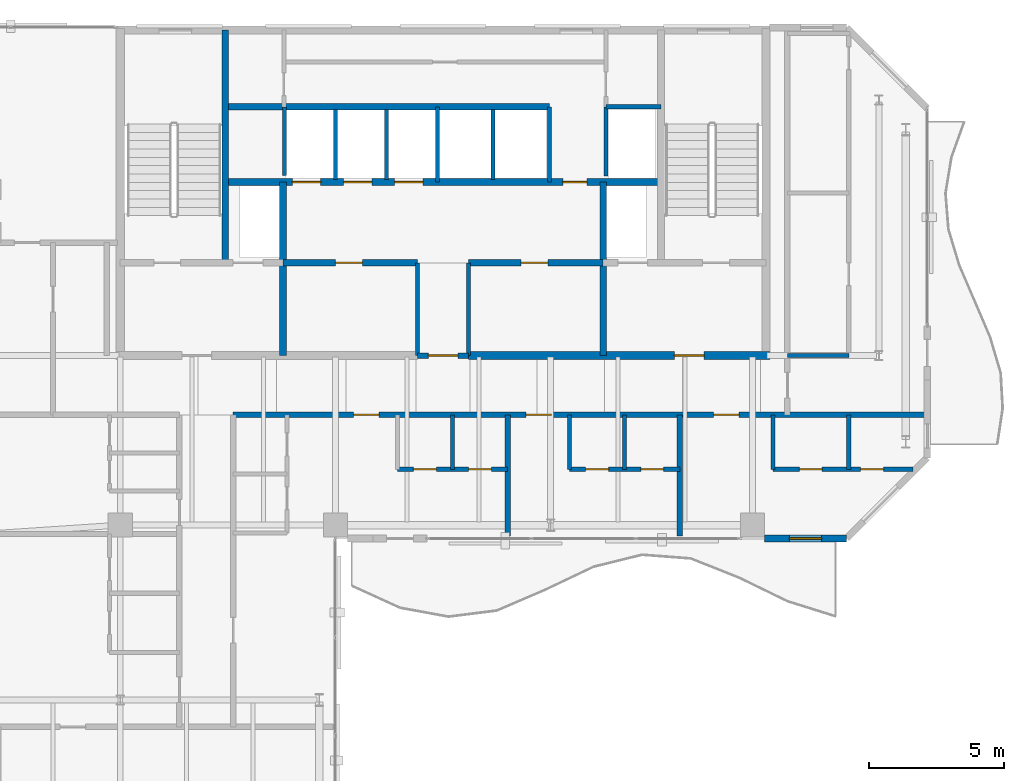
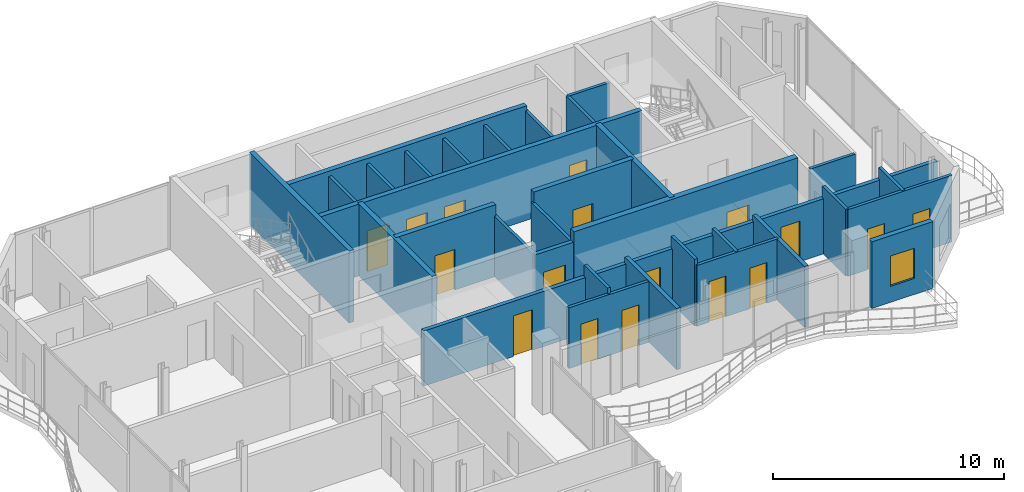
# One storey, part 19 of 24: 32 walls, 17 doors, 1 window, 18 openings.
"""IFC4 building model written with IfcOpenShell, lengths in metres."""

import ifcopenshell
import ifcopenshell.guid

model = None  # the IFC model being written
_history = None  # IfcOwnerHistory: only IFC2X3 demands one
_inside = {}  # id of a spatial element -> (the spatial element, [elements in it])
_under = {}  # id of a project, library or spatial element -> (it, [spatial elements below it])
_declared = {}  # id of a project -> (the project, [libraries it declares])
_typed = {}  # id of a type object -> (the type object, [elements of that type])
_made_of = {}  # id of a material, layer set ... -> (it, [elements and type objects made of it])


def new_model(schema):
    """Start an empty IFC model of exactly this schema.

    Asked for "IFC4X3", IfcOpenShell would pick the latest addendum, in which some entities
    have other attributes; the version numbers below select the first issue.
    IFC2X3 requires an IfcOwnerHistory on every rooted entity: one is made here for all.
    """
    global model, _history
    if schema == "IFC4X3":
        model = ifcopenshell.file(schema_version=(4, 3, 0, 0))
    else:
        model = ifcopenshell.file(schema=schema)
    _inside.clear()
    _under.clear()
    _declared.clear()
    _typed.clear()
    _made_of.clear()
    _history = None
    if model.schema == "IFC2X3":
        org = make("IfcOrganization", Name="unknown")
        user = make(
            "IfcPersonAndOrganization",
            ThePerson=make("IfcPerson", FamilyName="unknown"),
            TheOrganization=org,
        )
        app = make(
            "IfcApplication",
            ApplicationDeveloper=org,
            Version="unknown",
            ApplicationFullName="unknown",
            ApplicationIdentifier="unknown",
        )
        _history = make(
            "IfcOwnerHistory",
            OwningUser=user,
            OwningApplication=app,
            ChangeAction="ADDED",
            CreationDate=0,
        )
    return model


def make(cls, **values):
    """One entity of the class cls with the attributes given. An attribute that is None is left unset."""
    return model.create_entity(
        cls, **{name: value for name, value in values.items() if value is not None}
    )


def rooted(cls, **values):
    """An entity with a GlobalId (a new one), such as an element, a storey or a relation."""
    return make(cls, GlobalId=ifcopenshell.guid.new(), OwnerHistory=_history, **values)


def si_unit(unit_type, name, prefix=None):
    """IfcSIUnit, for example si_unit("LENGTHUNIT", "METRE", prefix="MILLI")."""
    return make("IfcSIUnit", UnitType=unit_type, Prefix=prefix, Name=name)


def assignment(units):
    """IfcUnitAssignment: the units of a project."""
    return None if units is None else make("IfcUnitAssignment", Units=units)


def point(xyz):
    """IfcCartesianPoint."""
    return None if xyz is None else make("IfcCartesianPoint", Coordinates=xyz)


def direction(xyz):
    """IfcDirection."""
    return None if xyz is None else make("IfcDirection", DirectionRatios=xyz)


def frame(location, z_axis=None, x_axis=None):
    """IfcAxis2Placement3D, a coordinate frame: its origin and axes. An axis left out is left unset."""
    return make(
        "IfcAxis2Placement3D",
        Location=point(location),
        Axis=direction(z_axis),
        RefDirection=direction(x_axis),
    )


def frame_2d(location, x_axis=None):
    """IfcAxis2Placement2D, a coordinate frame in the plane: its origin and x axis."""
    return make(
        "IfcAxis2Placement2D", Location=point(location), RefDirection=direction(x_axis)
    )


def origin():
    """The frame at (0, 0, 0) with its axes left unset."""
    return frame((0.0, 0.0, 0.0))


def place(relative_to, where):
    """IfcLocalPlacement: puts the frame where relative to a parent placement (None: the world)."""
    return make(
        "IfcLocalPlacement", PlacementRelTo=relative_to, RelativePlacement=where
    )


def context(
    kind, dimensions, precision=None, world=None, true_north=None, identifier=None
):
    """IfcGeometricRepresentationContext, for example the 3D "Model" context."""
    return make(
        "IfcGeometricRepresentationContext",
        ContextIdentifier=identifier,
        ContextType=kind,
        CoordinateSpaceDimension=dimensions,
        Precision=precision,
        WorldCoordinateSystem=world,
        TrueNorth=true_north,
    )


def subcontext(parent, identifier, kind, view, scale=None):
    """IfcGeometricRepresentationSubContext, for example "Body" below "Model"."""
    return make(
        "IfcGeometricRepresentationSubContext",
        ContextIdentifier=identifier,
        ContextType=kind,
        ParentContext=parent,
        TargetScale=scale,
        TargetView=view,
    )


def project(units=None, contexts=None):
    """IfcProject with its units and contexts."""
    return rooted(
        "IfcProject",
        Name="project",
        RepresentationContexts=contexts,
        UnitsInContext=assignment(units),
    )


def spatial(cls, under=None, at=None, **own):
    """A site, building, storey or space (cls), placed at a placement, below another one or the project."""
    s = rooted(cls, ObjectPlacement=at, **own)
    if under is not None:
        _under.setdefault(under.id(), (under, []))[1].append(s)
    return s


def profile(cls, at=None, kind="AREA", **sizes):
    """A parametric profile (cls). Its sizes go by their IFC names, for example OverallWidth=200.0."""
    return make(cls, ProfileType=kind, Position=at, **sizes)


def rectangle(**sizes):
    """IfcRectangleProfileDef."""
    return profile("IfcRectangleProfileDef", **sizes)


def extrude(swept, where, along, depth):
    """IfcExtrudedAreaSolid: the profile swept, set in the frame where, extruded along a direction by depth."""
    return make(
        "IfcExtrudedAreaSolid",
        SweptArea=swept,
        Position=where,
        ExtrudedDirection=direction(along),
        Depth=depth,
    )


def shape(context_of_items, identifier, shape_type, items):
    """IfcShapeRepresentation: the items that make up one representation, for example the "Body"."""
    return make(
        "IfcShapeRepresentation",
        ContextOfItems=context_of_items,
        RepresentationIdentifier=identifier,
        RepresentationType=shape_type,
        Items=items,
    )


def material(Name=None, Category=None):
    """IfcMaterial."""
    return make("IfcMaterial", Name=Name, Category=Category)


def layer(
    of_material, thickness, ventilated=None, Name=None, Category=None, Priority=None
):
    """IfcMaterialLayer: one layer of a wall or slab, of a material (None: an air gap)."""
    return make(
        "IfcMaterialLayer",
        Material=of_material,
        LayerThickness=thickness,
        IsVentilated=ventilated,
        Name=Name,
        Category=Category,
        Priority=Priority,
    )


def layer_set(layers, Name=None):
    """IfcMaterialLayerSet."""
    return make("IfcMaterialLayerSet", MaterialLayers=layers, LayerSetName=Name)


def made_of(thing, what):
    """Note that an element or type object is made of a material, layer set ...; save() writes the relation."""
    if what is not None:
        _made_of.setdefault(what.id(), (what, []))[1].append(thing)
    return thing


def type_object(cls, material=None, **own):
    """A type object (cls), such as IfcWallType, which elements share."""
    return made_of(rooted(cls, **own), material)


def element(
    cls,
    number,
    at=None,
    inside=None,
    cuts=None,
    type_object=None,
    material=None,
    context=None,
    identifier="Body",
    shape_type=None,
    held_by="IfcProductDefinitionShape",
    body=None,
    shapes=None,
    **own,
):
    """One element of the class cls, such as IfcWall. Its Tag is "e" and its number.

    at: its placement. inside: the storey or other place that contains it. cuts: it is an
    opening in that element (IfcRelVoidsElement). A single representation is given by context,
    identifier, shape_type and body (its items); several are given by shapes. held_by: the class
    of the entity that holds the representations. save() writes the other relations.
    """
    e = rooted(cls, Tag="e%d" % number, ObjectPlacement=at, **own)
    if body is not None:
        shapes = [shape(context, identifier, shape_type, body)]
    if shapes is not None:
        e.Representation = make(held_by, Representations=shapes)
    if inside is not None:
        _inside.setdefault(inside.id(), (inside, []))[1].append(e)
    if cuts is not None:
        rooted(
            "IfcRelVoidsElement", RelatingBuildingElement=cuts, RelatedOpeningElement=e
        )
    if type_object is not None:
        _typed.setdefault(type_object.id(), (type_object, []))[1].append(e)
    return made_of(e, material)


def fill(opening, filler):
    """IfcRelFillsElement: the door or window that sits in an opening."""
    return rooted(
        "IfcRelFillsElement",
        RelatingOpeningElement=opening,
        RelatedBuildingElement=filler,
    )


def aggregate(whole, parts):
    """IfcRelAggregates: a whole, such as a stair, and the parts it consists of."""
    return rooted("IfcRelAggregates", RelatingObject=whole, RelatedObjects=parts)


def save(model, path):
    """Write the relations noted so far, then the file.

    IfcRelAggregates (storeys below a building ...), IfcRelContainedInSpatialStructure (elements
    in a storey), IfcRelDefinesByType, IfcRelAssociatesMaterial and IfcRelDeclares: one each for
    every whole, place, type object, material and project.
    """
    for whole, parts in _under.values():
        aggregate(whole, parts)
    for where, things in _inside.values():
        rooted(
            "IfcRelContainedInSpatialStructure",
            RelatedElements=things,
            RelatingStructure=where,
        )
    for kind, things in _typed.values():
        rooted("IfcRelDefinesByType", RelatedObjects=things, RelatingType=kind)
    for what, things in _made_of.values():
        rooted("IfcRelAssociatesMaterial", RelatedObjects=things, RelatingMaterial=what)
    for by, libraries in _declared.values():
        rooted("IfcRelDeclares", RelatingContext=by, RelatedDefinitions=libraries)
    model.write(path)


model = new_model("IFC4")

# Units and contexts
model_context = context("Model", 3, precision=1e-05, world=origin(), true_north=direction((0.0, 1.0)))
body_context = subcontext(model_context, "Body", "Model", "MODEL_VIEW")
ifc_project = project(units=[si_unit("LENGTHUNIT", "METRE"), si_unit("AREAUNIT", "SQUARE_METRE"), si_unit("VOLUMEUNIT", "CUBIC_METRE"), si_unit("PLANEANGLEUNIT", "RADIAN"), si_unit("MASSUNIT", "GRAM", prefix="KILO")], contexts=[model_context])

# Site, building, storey
site_placement = place(None, origin())
site = spatial("IfcSite", under=ifc_project, at=site_placement, CompositionType="ELEMENT")
building_placement = place(site_placement, origin())
building = spatial("IfcBuilding", under=site, at=building_placement, Name="Catumbela Crestline Tower", CompositionType="ELEMENT")
storey_placement = place(building_placement, frame((0.0, 0.0, 237.4)))
storey = spatial("IfcBuildingStorey", under=building, at=storey_placement, Name="L61", CompositionType="ELEMENT", Elevation=237.4)

# Walls
ifc_material_1 = material(Name="Concrete C50/60", Category="concrete")
ifc_layer_1 = layer(ifc_material_1, 0.25, Name="Concrete C50/60")
ifc_layer_set_1 = layer_set([ifc_layer_1], Name="Concrete C50/60")
wall_type_1 = type_object("IfcWallType", Name="CW-250D", PredefinedType="SHEAR", material=ifc_layer_set_1)
wall_1_placement = place(storey_placement, frame((19.9, 34.25, 0.0), z_axis=(0.0, 0.0, 1.0), x_axis=(0.0, 1.0, 0.0)))
element("IfcWall", 1, at=wall_1_placement, inside=storey, type_object=wall_type_1, Name="L61 Structural Core Shear Wall WWEB", PredefinedType="SHEAR", context=body_context, shape_type="SweptSolid", body=[
    extrude(rectangle(XDim=8.65, YDim=0.25, at=frame_2d((4.325, 0.0))), origin(), (0.0, 0.0, 1.0), 3.8),
])
for number, where, z_axis, x_axis, name in (
    (2, (22.05, 30.8, 0.0), (0.0, 0.0, 1.0), (0.0, 1.0, 0.0), "L61 Structural Core Shear Wall FFW"),
    (3, (33.95, 30.8, 0.0), (0.0, 0.0, 1.0), (0.0, 1.0, 0.0), "L61 Structural Core Shear Wall FFE"),
):
    element("IfcWall", number, at=place(storey_placement, frame(where, z_axis=z_axis, x_axis=x_axis)), inside=storey, type_object=wall_type_1, Name=name, PredefinedType="SHEAR", context=body_context, shape_type="SweptSolid", body=[
        extrude(rectangle(XDim=6.45, YDim=0.25, at=frame_2d((3.225, 0.0))), origin(), (0.0, 0.0, 1.0), 3.8),
    ])

# Wall, opening, door
wall_2_placement = place(storey_placement, frame((22.05, 34.25, 0.0), z_axis=(0.0, 0.0, 1.0), x_axis=(1.0, 0.0, 0.0)))
wall_2 = element("IfcWall", 4, at=wall_2_placement, inside=storey, type_object=wall_type_1, Name="L61 Structural Core Shear Wall LIFTS-W", PredefinedType="SHEAR", context=body_context, shape_type="SweptSolid", body=[
    extrude(rectangle(XDim=5.0, YDim=0.25, at=frame_2d((2.5, 0.0))), origin(), (0.0, 0.0, 1.0), 3.8),
])
opening_1_placement = place(wall_2_placement, frame((1.95, 0.0, 0.0)))
opening_1 = element("IfcOpeningElement", 5, at=opening_1_placement, cuts=wall_2, Name="Opening DF9-100", PredefinedType="OPENING", context=body_context, shape_type="SweptSolid", body=[
    extrude(rectangle(XDim=1.0, YDim=2.15, at=frame_2d((0.5, 1.075))), frame((0.0, 0.135, 0.0), z_axis=(0.0, -1.0, 0.0), x_axis=(1.0, 0.0, 0.0)), (0.0, 0.0, 1.0), 0.27),
])
ifc_material_2 = material(Name="Stainless steel EN 1.4401", Category="steel")
door_type_1 = type_object("IfcDoorType", Name="DF9-100", OperationType="NOTDEFINED", PredefinedType="DOOR", material=ifc_material_2)
door_1_placement = place(opening_1_placement, origin())
door_1 = element("IfcDoor", 6, at=door_1_placement, inside=storey, type_object=door_type_1, Name="L61 Interior Door DR-L61-RECL1", OperationType="SINGLE_SWING_LEFT", OverallHeight=2.15, OverallWidth=1.0, PredefinedType="DOOR", context=body_context, shape_type="SweptSolid", body=[
    extrude(rectangle(XDim=1.0, YDim=2.15, at=frame_2d((0.5, 1.075))), frame((0.0, 0.025, 0.0), z_axis=(0.0, -1.0, 0.0), x_axis=(1.0, 0.0, 0.0)), (0.0, 0.0, 1.0), 0.05),
])
fill(opening_1, door_1)

wall_3_placement = place(storey_placement, frame((28.95, 34.25, 0.0), z_axis=(0.0, 0.0, 1.0), x_axis=(1.0, 0.0, 0.0)))
wall_3 = element("IfcWall", 7, at=wall_3_placement, inside=storey, type_object=wall_type_1, Name="L61 Structural Core Shear Wall LIFTS-E", PredefinedType="SHEAR", context=body_context, shape_type="SweptSolid", body=[
    extrude(rectangle(XDim=5.0, YDim=0.25, at=frame_2d((2.5, 0.0))), origin(), (0.0, 0.0, 1.0), 3.8),
])
opening_2_placement = place(wall_3_placement, frame((1.95, 0.0, 0.0)))
opening_2 = element("IfcOpeningElement", 8, at=opening_2_placement, cuts=wall_3, Name="Opening DF9-100", PredefinedType="OPENING", context=body_context, shape_type="SweptSolid", body=[
    extrude(rectangle(XDim=1.0, YDim=2.15, at=frame_2d((0.5, 1.075))), frame((0.0, 0.135, 0.0), z_axis=(0.0, -1.0, 0.0), x_axis=(1.0, 0.0, 0.0)), (0.0, 0.0, 1.0), 0.27),
])
door_2_placement = place(opening_2_placement, origin())
door_2 = element("IfcDoor", 9, at=door_2_placement, inside=storey, type_object=door_type_1, Name="L61 Interior Door DR-L61-RECL2", OperationType="SINGLE_SWING_RIGHT", OverallHeight=2.15, OverallWidth=1.0, PredefinedType="DOOR", context=body_context, shape_type="SweptSolid", body=[
    extrude(rectangle(XDim=1.0, YDim=2.15, at=frame_2d((0.5, 1.075))), frame((0.0, 0.025, 0.0), z_axis=(0.0, -1.0, 0.0), x_axis=(1.0, 0.0, 0.0)), (0.0, 0.0, 1.0), 0.05),
])
fill(opening_2, door_2)

# Wall, openings, doors
wall_4_placement = place(storey_placement, frame((19.9, 37.25, 0.0), z_axis=(0.0, 0.0, 1.0), x_axis=(1.0, 0.0, 0.0)))
wall_4 = element("IfcWall", 10, at=wall_4_placement, inside=storey, type_object=wall_type_1, Name="L61 Structural Core Shear Wall LIFTN", PredefinedType="SHEAR", context=body_context, shape_type="SweptSolid", body=[
    extrude(rectangle(XDim=16.2, YDim=0.25, at=frame_2d((8.1, 0.0))), origin(), (0.0, 0.0, 1.0), 3.8),
])
opening_3_placement = place(wall_4_placement, frame((12.55, 0.0, 0.0)))
opening_3 = element("IfcOpeningElement", 11, at=opening_3_placement, cuts=wall_4, Name="Opening DF9-090", PredefinedType="OPENING", context=body_context, shape_type="SweptSolid", body=[
    extrude(rectangle(XDim=0.9, YDim=2.15, at=frame_2d((0.45, 1.075))), frame((0.0, 0.135, 0.0), z_axis=(0.0, -1.0, 0.0), x_axis=(1.0, 0.0, 0.0)), (0.0, 0.0, 1.0), 0.27),
])
opening_4_placement = place(wall_4_placement, frame((2.5, 0.0, 0.0)))
opening_4 = element("IfcOpeningElement", 12, at=opening_4_placement, cuts=wall_4, Name="Opening LD-105", PredefinedType="OPENING", context=body_context, shape_type="SweptSolid", body=[
    extrude(rectangle(XDim=1.05, YDim=2.15, at=frame_2d((0.525, 1.075))), frame((0.0, 0.135, 0.0), z_axis=(0.0, -1.0, 0.0), x_axis=(1.0, 0.0, 0.0)), (0.0, 0.0, 1.0), 0.27),
])
opening_5_placement = place(wall_4_placement, frame((4.4, 0.0, 0.0)))
opening_5 = element("IfcOpeningElement", 13, at=opening_5_placement, cuts=wall_4, Name="Opening LD-105", PredefinedType="OPENING", context=body_context, shape_type="SweptSolid", body=[
    extrude(rectangle(XDim=1.05, YDim=2.15, at=frame_2d((0.525, 1.075))), frame((0.0, 0.135, 0.0), z_axis=(0.0, -1.0, 0.0), x_axis=(1.0, 0.0, 0.0)), (0.0, 0.0, 1.0), 0.27),
])
opening_6_placement = place(wall_4_placement, frame((6.3, 0.0, 0.0)))
opening_6 = element("IfcOpeningElement", 14, at=opening_6_placement, cuts=wall_4, Name="Opening LD-105", PredefinedType="OPENING", context=body_context, shape_type="SweptSolid", body=[
    extrude(rectangle(XDim=1.05, YDim=2.15, at=frame_2d((0.525, 1.075))), frame((0.0, 0.135, 0.0), z_axis=(0.0, -1.0, 0.0), x_axis=(1.0, 0.0, 0.0)), (0.0, 0.0, 1.0), 0.27),
])
door_type_2 = type_object("IfcDoorType", Name="DF9-090", OperationType="NOTDEFINED", PredefinedType="DOOR", material=ifc_material_2)
door_3_placement = place(opening_3_placement, origin())
door_3 = element("IfcDoor", 15, at=door_3_placement, inside=storey, type_object=door_type_2, Name="L61 Interior Door DR-L61-CPAS1", OperationType="SINGLE_SWING_LEFT", OverallHeight=2.15, OverallWidth=0.9, PredefinedType="DOOR", context=body_context, shape_type="SweptSolid", body=[
    extrude(rectangle(XDim=0.9, YDim=2.15, at=frame_2d((0.45, 1.075))), frame((0.0, 0.025, 0.0), z_axis=(0.0, -1.0, 0.0), x_axis=(1.0, 0.0, 0.0)), (0.0, 0.0, 1.0), 0.05),
])
fill(opening_3, door_3)
door_type_3 = type_object("IfcDoorType", Name="LD-105", OperationType="NOTDEFINED", PredefinedType="DOOR", material=ifc_material_2)
door_4_placement = place(opening_4_placement, origin())
door_4 = element("IfcDoor", 16, at=door_4_placement, inside=storey, type_object=door_type_3, Name="L61 Lift Landing Sliding Door PL-H1", OperationType="DOUBLE_DOOR_SLIDING", OverallHeight=2.15, OverallWidth=1.05, PredefinedType="DOOR", context=body_context, shape_type="SweptSolid", body=[
    extrude(rectangle(XDim=1.05, YDim=2.15, at=frame_2d((0.525, 1.075))), frame((0.0, 0.025, 0.0), z_axis=(0.0, -1.0, 0.0), x_axis=(1.0, 0.0, 0.0)), (0.0, 0.0, 1.0), 0.05),
])
fill(opening_4, door_4)
door_5_placement = place(opening_5_placement, origin())
door_5 = element("IfcDoor", 17, at=door_5_placement, inside=storey, type_object=door_type_3, Name="L61 Lift Landing Sliding Door PL-H2", OperationType="DOUBLE_DOOR_SLIDING", OverallHeight=2.15, OverallWidth=1.05, PredefinedType="DOOR", context=body_context, shape_type="SweptSolid", body=[
    extrude(rectangle(XDim=1.05, YDim=2.15, at=frame_2d((0.525, 1.075))), frame((0.0, 0.025, 0.0), z_axis=(0.0, -1.0, 0.0), x_axis=(1.0, 0.0, 0.0)), (0.0, 0.0, 1.0), 0.05),
])
fill(opening_5, door_5)
door_6_placement = place(opening_6_placement, origin())
door_6 = element("IfcDoor", 18, at=door_6_placement, inside=storey, type_object=door_type_3, Name="L61 Lift Landing Sliding Door PL-H3", OperationType="DOUBLE_DOOR_SLIDING", OverallHeight=2.15, OverallWidth=1.05, PredefinedType="DOOR", context=body_context, shape_type="SweptSolid", body=[
    extrude(rectangle(XDim=1.05, YDim=2.15, at=frame_2d((0.525, 1.075))), frame((0.0, 0.025, 0.0), z_axis=(0.0, -1.0, 0.0), x_axis=(1.0, 0.0, 0.0)), (0.0, 0.0, 1.0), 0.05),
])
fill(opening_6, door_6)

# Wall
wall_5_placement = place(storey_placement, frame((19.9, 40.05, 0.0), z_axis=(0.0, 0.0, 1.0), x_axis=(1.0, 0.0, 0.0)))
element("IfcWall", 19, at=wall_5_placement, inside=storey, type_object=wall_type_1, Name="L61 Structural Core Shear Wall COREN", PredefinedType="SHEAR", context=body_context, shape_type="SweptSolid", body=[
    extrude(rectangle(XDim=12.05, YDim=0.25, at=frame_2d((6.025, 0.0))), origin(), (0.0, 0.0, 1.0), 3.8),
])

# Wall, opening, door
ifc_material_3 = material(Name="Concrete C45/55", Category="concrete")
ifc_layer_2 = layer(ifc_material_3, 0.3, Name="Concrete C45/55")
ifc_layer_set_2 = layer_set([ifc_layer_2], Name="Concrete C45/55")
wall_type_2 = type_object("IfcWallType", Name="CW-300C", PredefinedType="SHEAR", material=ifc_layer_set_2)
wall_6_placement = place(storey_placement, frame((28.95, 30.8, 0.0), z_axis=(0.0, 0.0, 1.0), x_axis=(1.0, 0.0, 0.0)))
wall_6 = element("IfcWall", 20, at=wall_6_placement, inside=storey, type_object=wall_type_2, Name="L61 Structural Core Shear Wall SE", PredefinedType="SHEAR", context=body_context, shape_type="SweptSolid", body=[
    extrude(rectangle(XDim=11.2, YDim=0.3, at=frame_2d((5.6, 0.0))), origin(), (0.0, 0.0, 1.0), 3.8),
])
opening_7_placement = place(wall_6_placement, frame((7.65, 0.0, 0.0)))
opening_7 = element("IfcOpeningElement", 21, at=opening_7_placement, cuts=wall_6, Name="Opening DF9-110", PredefinedType="OPENING", context=body_context, shape_type="SweptSolid", body=[
    extrude(rectangle(XDim=1.1, YDim=2.15, at=frame_2d((0.55, 1.075))), frame((0.0, 0.16, 0.0), z_axis=(0.0, -1.0, 0.0), x_axis=(1.0, 0.0, 0.0)), (0.0, 0.0, 1.0), 0.32),
])
door_type_4 = type_object("IfcDoorType", Name="DF9-110", OperationType="NOTDEFINED", PredefinedType="DOOR", material=ifc_material_2)
door_7_placement = place(opening_7_placement, origin())
door_7 = element("IfcDoor", 22, at=door_7_placement, inside=storey, type_object=door_type_4, Name="L61 Interior Door DR-L61-FFE-S", OperationType="SINGLE_SWING_RIGHT", OverallHeight=2.15, OverallWidth=1.1, PredefinedType="DOOR", context=body_context, shape_type="SweptSolid", body=[
    extrude(rectangle(XDim=1.1, YDim=2.15, at=frame_2d((0.55, 1.075))), frame((0.0, 0.025, 0.0), z_axis=(0.0, -1.0, 0.0), x_axis=(1.0, 0.0, 0.0)), (0.0, 0.0, 1.0), 0.05),
])
fill(opening_7, door_7)

ifc_material_4 = material(Name="Acoustic gypsum and mineral-wool partition")
ifc_layer_3 = layer(ifc_material_4, 0.2, Name="Acoustic gypsum and mineral-wool partition")
ifc_layer_set_3 = layer_set([ifc_layer_3], Name="Acoustic gypsum and mineral-wool partition")
wall_type_3 = type_object("IfcWallType", Name="WC-200", PredefinedType="PARTITIONING", material=ifc_layer_set_3)
wall_7_placement = place(storey_placement, frame((27.05, 30.8, 0.0), z_axis=(0.0, 0.0, 1.0), x_axis=(1.0, 0.0, 0.0)))
wall_7 = element("IfcWall", 23, at=wall_7_placement, inside=storey, type_object=wall_type_3, Name="L61 Interior Partition PW-L61-CLOBS", PredefinedType="PARTITIONING", context=body_context, shape_type="SweptSolid", body=[
    extrude(rectangle(XDim=1.9, YDim=0.2, at=frame_2d((0.95, 0.0))), origin(), (0.0, 0.0, 1.0), 3.22),
])
opening_8_placement = place(wall_7_placement, frame((0.4, 0.0, 0.0)))
opening_8 = element("IfcOpeningElement", 24, at=opening_8_placement, cuts=wall_7, Name="Opening DF9-110", PredefinedType="OPENING", context=body_context, shape_type="SweptSolid", body=[
    extrude(rectangle(XDim=1.1, YDim=2.15, at=frame_2d((0.55, 1.075))), frame((0.0, 0.11, 0.0), z_axis=(0.0, -1.0, 0.0), x_axis=(1.0, 0.0, 0.0)), (0.0, 0.0, 1.0), 0.22),
])
door_8_placement = place(opening_8_placement, origin())
door_8 = element("IfcDoor", 25, at=door_8_placement, inside=storey, type_object=door_type_4, Name="L61 Interior Door DR-L61-CLOBS", OperationType="SINGLE_SWING_LEFT", OverallHeight=2.15, OverallWidth=1.1, PredefinedType="DOOR", context=body_context, shape_type="SweptSolid", body=[
    extrude(rectangle(XDim=1.1, YDim=2.15, at=frame_2d((0.55, 1.075))), frame((0.0, 0.025, 0.0), z_axis=(0.0, -1.0, 0.0), x_axis=(1.0, 0.0, 0.0)), (0.0, 0.0, 1.0), 0.05),
])
fill(opening_8, door_8)

# Wall, openings, doors
wall_8_placement = place(storey_placement, frame((20.2, 28.6, 0.0), z_axis=(0.0, 0.0, 1.0), x_axis=(1.0, 0.0, 0.0)))
wall_8 = element("IfcWall", 26, at=wall_8_placement, inside=storey, type_object=wall_type_3, Name="L61 Interior Partition PW-L61-RCWR", PredefinedType="PARTITIONING", context=body_context, shape_type="SweptSolid", body=[
    extrude(rectangle(XDim=25.7, YDim=0.2, at=frame_2d((12.85, 0.0))), origin(), (0.0, 0.0, 1.0), 2.92),
])
opening_9_placement = place(wall_8_placement, frame((4.475, 0.0, 0.0)))
opening_9 = element("IfcOpeningElement", 27, at=opening_9_placement, cuts=wall_8, Name="Opening DF6-095", PredefinedType="OPENING", context=body_context, shape_type="SweptSolid", body=[
    extrude(rectangle(XDim=0.95, YDim=2.15, at=frame_2d((0.475, 1.075))), frame((0.0, 0.11, 0.0), z_axis=(0.0, -1.0, 0.0), x_axis=(1.0, 0.0, 0.0)), (0.0, 0.0, 1.0), 0.22),
])
opening_10_placement = place(wall_8_placement, frame((10.875, 0.0, 0.0)))
opening_10 = element("IfcOpeningElement", 28, at=opening_10_placement, cuts=wall_8, Name="Opening DF6-095", PredefinedType="OPENING", context=body_context, shape_type="SweptSolid", body=[
    extrude(rectangle(XDim=0.95, YDim=2.15, at=frame_2d((0.475, 1.075))), frame((0.0, 0.11, 0.0), z_axis=(0.0, -1.0, 0.0), x_axis=(1.0, 0.0, 0.0)), (0.0, 0.0, 1.0), 0.22),
])
opening_11_placement = place(wall_8_placement, frame((17.854, 0.0, 0.0)))
opening_11 = element("IfcOpeningElement", 29, at=opening_11_placement, cuts=wall_8, Name="Opening DF6-095", PredefinedType="OPENING", context=body_context, shape_type="SweptSolid", body=[
    extrude(rectangle(XDim=0.95, YDim=2.15, at=frame_2d((0.475, 1.075))), frame((0.0, 0.11, 0.0), z_axis=(0.0, -1.0, 0.0), x_axis=(1.0, 0.0, 0.0)), (0.0, 0.0, 1.0), 0.22),
])
ifc_material_5 = material(Name="Aluminium alloy AW-6060-T66", Category="aluminium")
door_type_5 = type_object("IfcDoorType", Name="DF6-095", OperationType="NOTDEFINED", PredefinedType="DOOR", material=ifc_material_5)
door_9_placement = place(opening_9_placement, origin())
door_9 = element("IfcDoor", 30, at=door_9_placement, inside=storey, type_object=door_type_5, Name="L61 Interior Door DR-L61-S1-ENT", OperationType="SINGLE_SWING_LEFT", OverallHeight=2.15, OverallWidth=0.95, PredefinedType="DOOR", context=body_context, shape_type="SweptSolid", body=[
    extrude(rectangle(XDim=0.95, YDim=2.15, at=frame_2d((0.475, 1.075))), frame((0.0, 0.025, 0.0), z_axis=(0.0, -1.0, 0.0), x_axis=(1.0, 0.0, 0.0)), (0.0, 0.0, 1.0), 0.05),
])
fill(opening_9, door_9)
door_10_placement = place(opening_10_placement, origin())
door_10 = element("IfcDoor", 31, at=door_10_placement, inside=storey, type_object=door_type_5, Name="L61 Interior Door DR-L61-S2-ENT", OperationType="SINGLE_SWING_RIGHT", OverallHeight=2.15, OverallWidth=0.95, PredefinedType="DOOR", context=body_context, shape_type="SweptSolid", body=[
    extrude(rectangle(XDim=0.95, YDim=2.15, at=frame_2d((0.475, 1.075))), frame((0.0, 0.025, 0.0), z_axis=(0.0, -1.0, 0.0), x_axis=(1.0, 0.0, 0.0)), (0.0, 0.0, 1.0), 0.05),
])
fill(opening_10, door_10)
door_11_placement = place(opening_11_placement, origin())
door_11 = element("IfcDoor", 32, at=door_11_placement, inside=storey, type_object=door_type_5, Name="L61 Interior Door DR-L61-S3-ENT", OperationType="SINGLE_SWING_LEFT", OverallHeight=2.15, OverallWidth=0.95, PredefinedType="DOOR", context=body_context, shape_type="SweptSolid", body=[
    extrude(rectangle(XDim=0.95, YDim=2.15, at=frame_2d((0.475, 1.075))), frame((0.0, 0.025, 0.0), z_axis=(0.0, -1.0, 0.0), x_axis=(1.0, 0.0, 0.0)), (0.0, 0.0, 1.0), 0.05),
])
fill(opening_11, door_11)

# Wall, opening, window
ifc_material_6 = material(Name="Angolan grey-ochre granite", Category="masonry")
ifc_layer_4 = layer(ifc_material_6, 0.25, Name="Angolan grey-ochre granite")
ifc_layer_set_4 = layer_set([ifc_layer_4], Name="Angolan grey-ochre granite")
wall_type_4 = type_object("IfcWallType", Name="WE-250", PredefinedType="STANDARD", material=ifc_layer_set_4)
wall_9_placement = place(storey_placement, frame((39.95, 24.0, 0.0), z_axis=(0.0, 0.0, 1.0), x_axis=(1.0, 0.0, 0.0)))
wall_9 = element("IfcWall", 33, at=wall_9_placement, inside=storey, type_object=wall_type_4, Name="L61 Granite Punched Window Wall 3-3", PredefinedType="STANDARD", context=body_context, shape_type="SweptSolid", body=[
    extrude(rectangle(XDim=3.05, YDim=0.25, at=frame_2d((1.525, 0.0))), origin(), (0.0, 0.0, 1.0), 3.53),
])
opening_12_placement = place(wall_9_placement, frame((0.925, 0.0, 0.85)))
opening_12 = element("IfcOpeningElement", 34, at=opening_12_placement, cuts=wall_9, Name="Opening WN-02", PredefinedType="OPENING", context=body_context, shape_type="SweptSolid", body=[
    extrude(rectangle(XDim=1.2, YDim=1.6, at=frame_2d((0.6, 0.8))), frame((0.0, 0.135, 0.0), z_axis=(0.0, -1.0, 0.0), x_axis=(1.0, 0.0, 0.0)), (0.0, 0.0, 1.0), 0.27),
])
ifc_material_7 = material(Name="Low-E laminated solar-control double glazing", Category="glass")
window_type = type_object("IfcWindowType", Name="WO-1200", PartitioningType="SINGLE_PANEL", PredefinedType="WINDOW", material=ifc_material_7)
window_placement = place(opening_12_placement, origin())
window = element("IfcWindow", 35, at=window_placement, inside=storey, type_object=window_type, Name="L61 Facade Vision Window 446", OverallHeight=1.6, OverallWidth=1.2, PartitioningType="SINGLE_PANEL", PredefinedType="WINDOW", context=body_context, shape_type="SweptSolid", body=[
    extrude(rectangle(XDim=1.2, YDim=1.6, at=frame_2d((0.6, 0.8))), frame((0.0, 0.03, 0.0), z_axis=(0.0, -1.0, 0.0), x_axis=(1.0, 0.0, 0.0)), (0.0, 0.0, 1.0), 0.06),
])
fill(opening_12, window)

# Walls
ifc_layer_5 = layer(ifc_material_4, 0.15, Name="Acoustic gypsum and mineral-wool partition")
ifc_layer_set_5 = layer_set([ifc_layer_5], Name="Acoustic gypsum and mineral-wool partition")
wall_type_5 = type_object("IfcWallType", Name="WP-150", PredefinedType="PARTITIONING", material=ifc_layer_set_5)
wall_10_placement = place(storey_placement, frame((34.05, 40.05, 0.0), z_axis=(0.0, 0.0, 1.0), x_axis=(1.0, 0.0, 0.0)))
element("IfcWall", 36, at=wall_10_placement, inside=storey, type_object=wall_type_5, Name="L61 Interior Partition PW-L61-CR-ES", PredefinedType="PARTITIONING", context=body_context, shape_type="SweptSolid", body=[
    extrude(rectangle(XDim=2.05, YDim=0.15, at=frame_2d((1.025, 0.0))), origin(), (0.0, 0.0, 1.0), 3.53),
])
wall_11_placement = place(storey_placement, frame((40.8, 30.8, 0.0), z_axis=(0.0, 0.0, 1.0), x_axis=(1.0, 0.0, 0.0)))
element("IfcWall", 37, at=wall_11_placement, inside=storey, type_object=wall_type_5, Name="L61 Interior Partition PW-L61-NE1-KBS", PredefinedType="PARTITIONING", context=body_context, shape_type="SweptSolid", body=[
    extrude(rectangle(XDim=2.28, YDim=0.15, at=frame_2d((1.14, 0.0))), origin(), (0.0, 0.0, 1.0), 2.92),
])
wall_12_placement = place(storey_placement, frame((28.35, 26.576, 0.0), z_axis=(0.0, 0.0, 1.0), x_axis=(0.0, 1.0, 0.0)))
element("IfcWall", 38, at=wall_12_placement, inside=storey, type_object=wall_type_5, Name="L61 Interior Partition PW-L61-S1-KBM", PredefinedType="PARTITIONING", context=body_context, shape_type="SweptSolid", body=[
    extrude(rectangle(XDim=2.024, YDim=0.15, at=frame_2d((1.012, 0.0))), origin(), (0.0, 0.0, 1.0), 3.53),
])

# Wall, openings, doors
wall_13_placement = place(storey_placement, frame((26.3, 26.576, 0.0), z_axis=(0.0, 0.0, 1.0), x_axis=(1.0, 0.0, 0.0)))
wall_13 = element("IfcWall", 39, at=wall_13_placement, inside=storey, type_object=wall_type_5, Name="L61 Interior Partition PW-L61-S1-KBD1", PredefinedType="PARTITIONING", context=body_context, shape_type="SweptSolid", body=[
    extrude(rectangle(XDim=4.1, YDim=0.15, at=frame_2d((2.05, 0.0))), origin(), (0.0, 0.0, 1.0), 3.22),
])
opening_13_placement = place(wall_13_placement, frame((0.6, 0.0, 0.0)))
opening_13 = element("IfcOpeningElement", 40, at=opening_13_placement, cuts=wall_13, Name="Opening DI-085", PredefinedType="OPENING", context=body_context, shape_type="SweptSolid", body=[
    extrude(rectangle(XDim=0.85, YDim=2.15, at=frame_2d((0.425, 1.075))), frame((0.0, 0.085, 0.0), z_axis=(0.0, -1.0, 0.0), x_axis=(1.0, 0.0, 0.0)), (0.0, 0.0, 1.0), 0.17),
])
opening_14_placement = place(wall_13_placement, frame((2.65, 0.0, 0.0)))
opening_14 = element("IfcOpeningElement", 41, at=opening_14_placement, cuts=wall_13, Name="Opening DI-085", PredefinedType="OPENING", context=body_context, shape_type="SweptSolid", body=[
    extrude(rectangle(XDim=0.85, YDim=2.15, at=frame_2d((0.425, 1.075))), frame((0.0, 0.085, 0.0), z_axis=(0.0, -1.0, 0.0), x_axis=(1.0, 0.0, 0.0)), (0.0, 0.0, 1.0), 0.17),
])
door_type_6 = type_object("IfcDoorType", Name="DI-085", OperationType="NOTDEFINED", PredefinedType="DOOR", material=ifc_material_5)
door_12_placement = place(opening_13_placement, origin())
door_12 = element("IfcDoor", 42, at=door_12_placement, inside=storey, type_object=door_type_6, Name="L61 Interior Door DR-L61-S1-BTH", OperationType="SINGLE_SWING_LEFT", OverallHeight=2.15, OverallWidth=0.85, PredefinedType="DOOR", context=body_context, shape_type="SweptSolid", body=[
    extrude(rectangle(XDim=0.85, YDim=2.15, at=frame_2d((0.425, 1.075))), frame((0.0, 0.025, 0.0), z_axis=(0.0, -1.0, 0.0), x_axis=(1.0, 0.0, 0.0)), (0.0, 0.0, 1.0), 0.05),
])
fill(opening_13, door_12)
door_13_placement = place(opening_14_placement, origin())
door_13 = element("IfcDoor", 43, at=door_13_placement, inside=storey, type_object=door_type_6, Name="L61 Interior Door DR-L61-S1-KIT", OperationType="SINGLE_SWING_RIGHT", OverallHeight=2.15, OverallWidth=0.85, PredefinedType="DOOR", context=body_context, shape_type="SweptSolid", body=[
    extrude(rectangle(XDim=0.85, YDim=2.15, at=frame_2d((0.425, 1.075))), frame((0.0, 0.025, 0.0), z_axis=(0.0, -1.0, 0.0), x_axis=(1.0, 0.0, 0.0)), (0.0, 0.0, 1.0), 0.05),
])
fill(opening_14, door_13)

# Walls
wall_14_placement = place(storey_placement, frame((32.7, 26.576, 0.0), z_axis=(0.0, 0.0, 1.0), x_axis=(0.0, 1.0, 0.0)))
element("IfcWall", 44, at=wall_14_placement, inside=storey, type_object=wall_type_5, Name="L61 Interior Partition PW-L61-S2-KBW", PredefinedType="PARTITIONING", context=body_context, shape_type="SweptSolid", body=[
    extrude(rectangle(XDim=2.024, YDim=0.15, at=frame_2d((1.012, 0.0))), origin(), (0.0, 0.0, 1.0), 3.53),
])
wall_15_placement = place(storey_placement, frame((34.75, 26.576, 0.0), z_axis=(0.0, 0.0, 1.0), x_axis=(0.0, 1.0, 0.0)))
element("IfcWall", 45, at=wall_15_placement, inside=storey, type_object=wall_type_5, Name="L61 Interior Partition PW-L61-S2-KBM", PredefinedType="PARTITIONING", context=body_context, shape_type="SweptSolid", body=[
    extrude(rectangle(XDim=2.024, YDim=0.15, at=frame_2d((1.012, 0.0))), origin(), (0.0, 0.0, 1.0), 3.22),
])

# Wall, openings, doors
wall_16_placement = place(storey_placement, frame((32.7, 26.576, 0.0), z_axis=(0.0, 0.0, 1.0), x_axis=(1.0, 0.0, 0.0)))
wall_16 = element("IfcWall", 46, at=wall_16_placement, inside=storey, type_object=wall_type_5, Name="L61 Interior Partition PW-L61-S2-KBD1", PredefinedType="PARTITIONING", context=body_context, shape_type="SweptSolid", body=[
    extrude(rectangle(XDim=4.1, YDim=0.15, at=frame_2d((2.05, 0.0))), origin(), (0.0, 0.0, 1.0), 3.22),
])
opening_15_placement = place(wall_16_placement, frame((0.6, 0.0, 0.0)))
opening_15 = element("IfcOpeningElement", 47, at=opening_15_placement, cuts=wall_16, Name="Opening DI-085", PredefinedType="OPENING", context=body_context, shape_type="SweptSolid", body=[
    extrude(rectangle(XDim=0.85, YDim=2.15, at=frame_2d((0.425, 1.075))), frame((0.0, 0.085, 0.0), z_axis=(0.0, -1.0, 0.0), x_axis=(1.0, 0.0, 0.0)), (0.0, 0.0, 1.0), 0.17),
])
opening_16_placement = place(wall_16_placement, frame((2.65, 0.0, 0.0)))
opening_16 = element("IfcOpeningElement", 48, at=opening_16_placement, cuts=wall_16, Name="Opening DI-085", PredefinedType="OPENING", context=body_context, shape_type="SweptSolid", body=[
    extrude(rectangle(XDim=0.85, YDim=2.15, at=frame_2d((0.425, 1.075))), frame((0.0, 0.085, 0.0), z_axis=(0.0, -1.0, 0.0), x_axis=(1.0, 0.0, 0.0)), (0.0, 0.0, 1.0), 0.17),
])
door_14_placement = place(opening_15_placement, origin())
door_14 = element("IfcDoor", 49, at=door_14_placement, inside=storey, type_object=door_type_6, Name="L61 Interior Door DR-L61-S2-BTH", OperationType="SINGLE_SWING_LEFT", OverallHeight=2.15, OverallWidth=0.85, PredefinedType="DOOR", context=body_context, shape_type="SweptSolid", body=[
    extrude(rectangle(XDim=0.85, YDim=2.15, at=frame_2d((0.425, 1.075))), frame((0.0, 0.025, 0.0), z_axis=(0.0, -1.0, 0.0), x_axis=(1.0, 0.0, 0.0)), (0.0, 0.0, 1.0), 0.05),
])
fill(opening_15, door_14)
door_15_placement = place(opening_16_placement, origin())
door_15 = element("IfcDoor", 50, at=door_15_placement, inside=storey, type_object=door_type_6, Name="L61 Interior Door DR-L61-S2-KIT", OperationType="SINGLE_SWING_RIGHT", OverallHeight=2.15, OverallWidth=0.85, PredefinedType="DOOR", context=body_context, shape_type="SweptSolid", body=[
    extrude(rectangle(XDim=0.85, YDim=2.15, at=frame_2d((0.425, 1.075))), frame((0.0, 0.025, 0.0), z_axis=(0.0, -1.0, 0.0), x_axis=(1.0, 0.0, 0.0)), (0.0, 0.0, 1.0), 0.05),
])
fill(opening_16, door_15)

# Walls
for number, where, z_axis, x_axis, name in (
    (51, (40.258, 26.576, 0.0), (0.0, 0.0, 1.0), (0.0, 1.0, 0.0), "L61 Interior Partition PW-L61-S3-KBW"),
    (52, (43.079, 26.576, 0.0), (0.0, 0.0, 1.0), (0.0, 1.0, 0.0), "L61 Interior Partition PW-L61-S3-KBM"),
):
    element("IfcWall", number, at=place(storey_placement, frame(where, z_axis=z_axis, x_axis=x_axis)), inside=storey, type_object=wall_type_5, Name=name, PredefinedType="PARTITIONING", context=body_context, shape_type="SweptSolid", body=[
        extrude(rectangle(XDim=2.024, YDim=0.15, at=frame_2d((1.012, 0.0))), origin(), (0.0, 0.0, 1.0), 3.53),
    ])

# Wall, openings, doors
wall_17_placement = place(storey_placement, frame((40.258, 26.576, 0.0), z_axis=(0.0, 0.0, 1.0), x_axis=(1.0, 0.0, 0.0)))
wall_17 = element("IfcWall", 53, at=wall_17_placement, inside=storey, type_object=wall_type_5, Name="L61 Interior Partition PW-L61-S3-KBD1", PredefinedType="PARTITIONING", context=body_context, shape_type="SweptSolid", body=[
    extrude(rectangle(XDim=5.218, YDim=0.15, at=frame_2d((2.609, 0.0))), origin(), (0.0, 0.0, 1.0), 3.53),
])
opening_17_placement = place(wall_17_placement, frame((0.9855, 0.0, 0.0)))
opening_17 = element("IfcOpeningElement", 54, at=opening_17_placement, cuts=wall_17, Name="Opening DI-085", PredefinedType="OPENING", context=body_context, shape_type="SweptSolid", body=[
    extrude(rectangle(XDim=0.85, YDim=2.15, at=frame_2d((0.425, 1.075))), frame((0.0, 0.085, 0.0), z_axis=(0.0, -1.0, 0.0), x_axis=(1.0, 0.0, 0.0)), (0.0, 0.0, 1.0), 0.17),
])
opening_18_placement = place(wall_17_placement, frame((3.2665, 0.0, 0.0)))
opening_18 = element("IfcOpeningElement", 55, at=opening_18_placement, cuts=wall_17, Name="Opening DI-085", PredefinedType="OPENING", context=body_context, shape_type="SweptSolid", body=[
    extrude(rectangle(XDim=0.85, YDim=2.15, at=frame_2d((0.425, 1.075))), frame((0.0, 0.085, 0.0), z_axis=(0.0, -1.0, 0.0), x_axis=(1.0, 0.0, 0.0)), (0.0, 0.0, 1.0), 0.17),
])
door_16_placement = place(opening_17_placement, origin())
door_16 = element("IfcDoor", 56, at=door_16_placement, inside=storey, type_object=door_type_6, Name="L61 Interior Door DR-L61-S3-BTH", OperationType="SINGLE_SWING_LEFT", OverallHeight=2.15, OverallWidth=0.85, PredefinedType="DOOR", context=body_context, shape_type="SweptSolid", body=[
    extrude(rectangle(XDim=0.85, YDim=2.15, at=frame_2d((0.425, 1.075))), frame((0.0, 0.025, 0.0), z_axis=(0.0, -1.0, 0.0), x_axis=(1.0, 0.0, 0.0)), (0.0, 0.0, 1.0), 0.05),
])
fill(opening_17, door_16)
door_17_placement = place(opening_18_placement, origin())
door_17 = element("IfcDoor", 57, at=door_17_placement, inside=storey, type_object=door_type_6, Name="L61 Interior Door DR-L61-S3-KIT", OperationType="SINGLE_SWING_LEFT", OverallHeight=2.15, OverallWidth=0.85, PredefinedType="DOOR", context=body_context, shape_type="SweptSolid", body=[
    extrude(rectangle(XDim=0.85, YDim=2.15, at=frame_2d((0.425, 1.075))), frame((0.0, 0.025, 0.0), z_axis=(0.0, -1.0, 0.0), x_axis=(1.0, 0.0, 0.0)), (0.0, 0.0, 1.0), 0.05),
])
fill(opening_18, door_17)

# Walls
ifc_layer_6 = layer(ifc_material_4, 0.2, Name="Acoustic gypsum and mineral-wool partition")
ifc_layer_set_6 = layer_set([ifc_layer_6], Name="Acoustic gypsum and mineral-wool partition")
wall_type_6 = type_object("IfcWallType", Name="WY-200", PredefinedType="PARTITIONING", material=ifc_layer_set_6)
wall_18_placement = place(storey_placement, frame((30.4, 24.1, 0.0), z_axis=(0.0, 0.0, 1.0), x_axis=(0.0, 1.0, 0.0)))
element("IfcWall", 58, at=wall_18_placement, inside=storey, type_object=wall_type_6, Name="L61 Interior Partition PW-L61-RSPP-2", PredefinedType="PARTITIONING", context=body_context, shape_type="SweptSolid", body=[
    extrude(rectangle(XDim=4.5, YDim=0.2, at=frame_2d((2.25, 0.0))), origin(), (0.0, 0.0, 1.0), 3.24),
])
wall_19_placement = place(storey_placement, frame((36.8, 24.1, 0.0), z_axis=(0.0, 0.0, 1.0), x_axis=(0.0, 1.0, 0.0)))
element("IfcWall", 59, at=wall_19_placement, inside=storey, type_object=wall_type_6, Name="L61 Interior Partition PW-L61-RSPP-3", PredefinedType="PARTITIONING", context=body_context, shape_type="SweptSolid", body=[
    extrude(rectangle(XDim=4.5, YDim=0.2, at=frame_2d((2.25, 0.0))), origin(), (0.0, 0.0, 1.0), 3.22),
])
ifc_layer_7 = layer(ifc_material_4, 0.15, Name="Acoustic gypsum and mineral-wool partition")
ifc_layer_set_7 = layer_set([ifc_layer_7], Name="Acoustic gypsum and mineral-wool partition")
wall_type_7 = type_object("IfcWallType", Name="WS-150", PredefinedType="PLUMBINGWALL", material=ifc_layer_set_7)
for number, where, z_axis, x_axis, name in (
    (60, (27.05, 30.8, 0.0), (0.0, 0.0, 1.0), (0.0, 1.0, 0.0), "L61 Interior Partition PW-L61-THRW"),
    (61, (28.95, 30.8, 0.0), (0.0, 0.0, 1.0), (0.0, 1.0, 0.0), "L61 Interior Partition PW-L61-THRE"),
):
    element("IfcWall", number, at=place(storey_placement, frame(where, z_axis=z_axis, x_axis=x_axis)), inside=storey, type_object=wall_type_7, Name=name, PredefinedType="PLUMBINGWALL", context=body_context, shape_type="SweptSolid", body=[
        extrude(rectangle(XDim=3.45, YDim=0.15, at=frame_2d((1.725, 0.0))), origin(), (0.0, 0.0, 1.0), 3.22),
    ])
wall_20_placement = place(storey_placement, frame((22.1, 37.4897, 0.0), z_axis=(0.0, 0.0, 1.0), x_axis=(0.0, 1.0, 0.0)))
element("IfcWall", 62, at=wall_20_placement, inside=storey, type_object=wall_type_7, Name="L61 Interior Partition PW-L61-SHH0", PredefinedType="PLUMBINGWALL", context=body_context, shape_type="SweptSolid", body=[
    extrude(rectangle(XDim=2.5603, YDim=0.15, at=frame_2d((1.2801, 0.0))), origin(), (0.0, 0.0, 1.0), 3.53),
])
wall_21_placement = place(storey_placement, frame((27.8, 37.25, 0.0), z_axis=(0.0, 0.0, 1.0), x_axis=(0.0, 1.0, 0.0)))
element("IfcWall", 63, at=wall_21_placement, inside=storey, type_object=wall_type_7, Name="L61 Interior Partition PW-L61-SHH3", PredefinedType="PLUMBINGWALL", context=body_context, shape_type="SweptSolid", body=[
    extrude(rectangle(XDim=2.8, YDim=0.15, at=frame_2d((1.4, 0.0))), origin(), (0.0, 0.0, 1.0), 3.53),
])
for number, where, z_axis, x_axis, name in (
    (64, (24.0, 37.35, 0.0), (0.0, 0.0, 1.0), (0.0, 1.0, 0.0), "L61 Interior Partition PW-L61-SHH1"),
    (65, (25.9, 37.35, 0.0), (0.0, 0.0, 1.0), (0.0, 1.0, 0.0), "L61 Interior Partition PW-L61-SHH2"),
):
    element("IfcWall", number, at=place(storey_placement, frame(where, z_axis=z_axis, x_axis=x_axis)), inside=storey, type_object=wall_type_7, Name=name, PredefinedType="PLUMBINGWALL", context=body_context, shape_type="SweptSolid", body=[
        extrude(rectangle(XDim=2.6, YDim=0.15, at=frame_2d((1.3, 0.0))), origin(), (0.0, 0.0, 1.0), 3.53),
    ])
wall_22_placement = place(storey_placement, frame((31.95, 37.25, 0.0), z_axis=(0.0, 0.0, 1.0), x_axis=(0.0, 1.0, 0.0)))
element("IfcWall", 66, at=wall_22_placement, inside=storey, type_object=wall_type_7, Name="L61 Interior Partition PW-L61-SHEX2E", PredefinedType="PLUMBINGWALL", context=body_context, shape_type="SweptSolid", body=[
    extrude(rectangle(XDim=2.8, YDim=0.15, at=frame_2d((1.4, 0.0))), origin(), (0.0, 0.0, 1.0), 3.53),
])
wall_23_placement = place(storey_placement, frame((29.85, 37.35, 0.0), z_axis=(0.0, 0.0, 1.0), x_axis=(0.0, 1.0, 0.0)))
element("IfcWall", 67, at=wall_23_placement, inside=storey, type_object=wall_type_7, Name="L61 Interior Partition PW-L61-SHEX1", PredefinedType="PLUMBINGWALL", context=body_context, shape_type="SweptSolid", body=[
    extrude(rectangle(XDim=2.6, YDim=0.15, at=frame_2d((1.3, 0.0))), origin(), (0.0, 0.0, 1.0), 3.53),
])
wall_24_placement = place(storey_placement, frame((34.05, 37.4734, 0.0), z_axis=(0.0, 0.0, 1.0), x_axis=(0.0, 1.0, 0.0)))
element("IfcWall", 68, at=wall_24_placement, inside=storey, type_object=wall_type_7, Name="L61 Interior Partition PW-L61-RISW", PredefinedType="PLUMBINGWALL", context=body_context, shape_type="SweptSolid", body=[
    extrude(rectangle(XDim=2.5766, YDim=0.15, at=frame_2d((1.2883, 0.0))), origin(), (0.0, 0.0, 1.0), 3.53),
])

save(model, "model.ifc")
